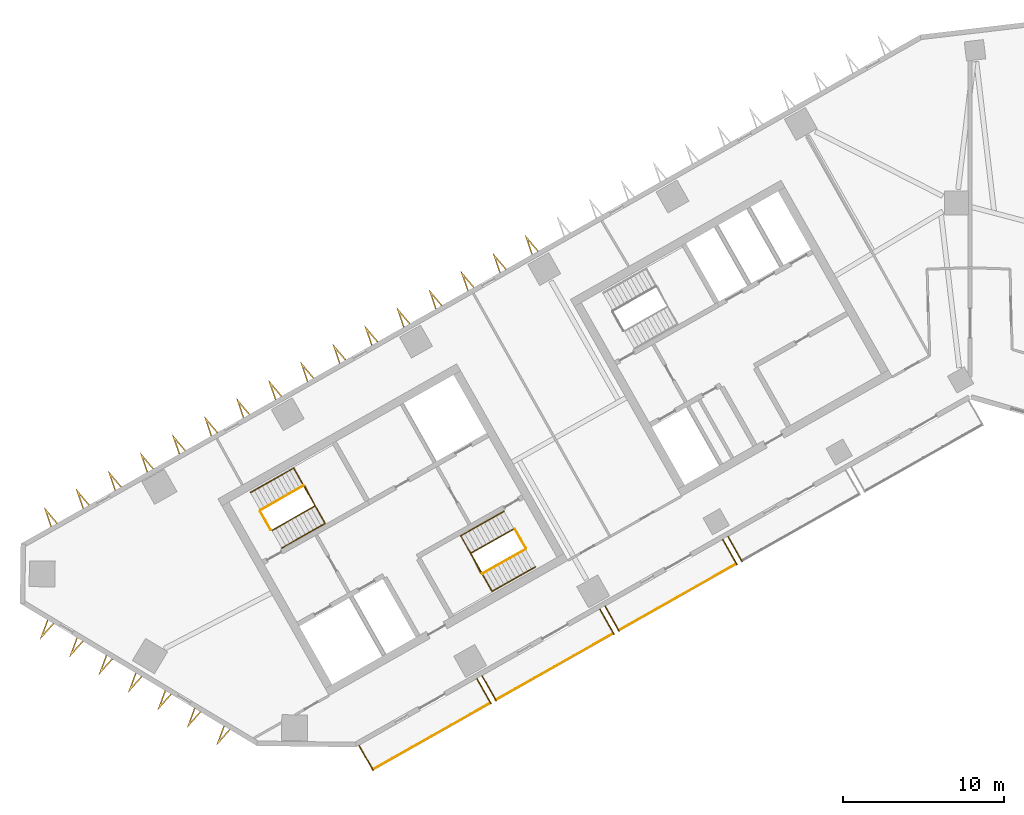
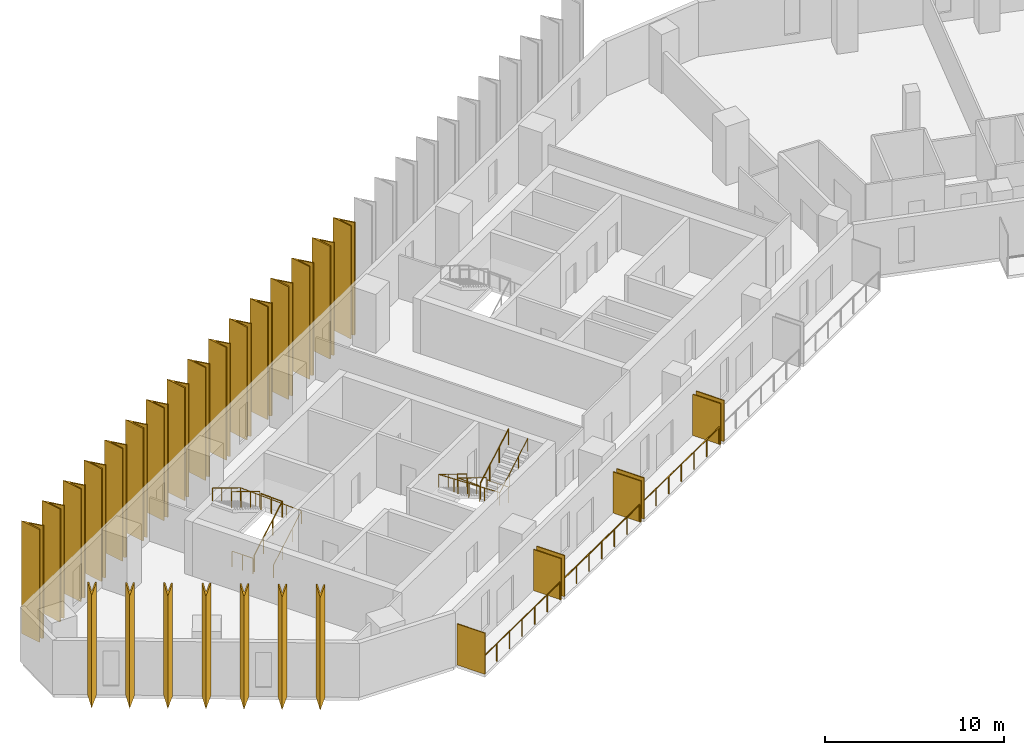
# One storey, part 8 of 12: 30 shading devices, 11 railings.
"""IFC4 building model written with IfcOpenShell, lengths in metres."""

from ifc_helpers import new_model, si_unit, direction, frame, origin, origin_2d, place, context, subcontext, project, spatial, polyline, rectangle, circle, outline, extrude, material, layer, layer_set, type_object, element, save


model = new_model("IFC4")

# Units and contexts
model_context = context("Model", 3, precision=1e-05, world=origin(), true_north=direction((0.0, 1.0)))
body_context = subcontext(model_context, "Body", "Model", "MODEL_VIEW")
ifc_project = project(units=[si_unit("LENGTHUNIT", "METRE"), si_unit("AREAUNIT", "SQUARE_METRE"), si_unit("VOLUMEUNIT", "CUBIC_METRE"), si_unit("PLANEANGLEUNIT", "RADIAN"), si_unit("MASSUNIT", "GRAM", prefix="KILO")], contexts=[model_context])

# Site, building, storey
site_placement = place(None, origin())
site = spatial("IfcSite", under=ifc_project, at=site_placement, CompositionType="ELEMENT")
building_placement = place(site_placement, origin())
building = spatial("IfcBuilding", under=site, at=building_placement, Name="Binnacle Exchange Tower", CompositionType="ELEMENT")
storey_placement = place(building_placement, frame((0.0, 0.0, 154.89990234375)))
storey = spatial("IfcBuildingStorey", under=building, at=storey_placement, Name="L32", CompositionType="ELEMENT", Elevation=154.89990234375)

# Railings
ifc_material_1 = material(Name="Bronze anodised aluminium frame", Category="aluminium")
railing_type_1 = type_object("IfcRailingType", Name="GUARD 1200", PredefinedType="GUARDRAIL", material=ifc_material_1)
railing_1_placement = place(storey_placement, frame((-36.994140625, 24.921142578125, 0.0)))
element("IfcRailing", 1, at=railing_1_placement, inside=storey, type_object=railing_type_1, Name="Balcony guard G01-B00 L32", PredefinedType="GUARDRAIL", context=body_context, shape_type="SweptSolid", body=[
    extrude(circle(Radius=0.02392578125, at=origin_2d()), frame((0.0, 0.0, 1.17578125), z_axis=(0.8703461643, 0.49244040684, 0.0), x_axis=(-0.49244040684, 0.8703461643, 0.0)), (0.0, 0.0, 1.0), 8.33447265625),
    extrude(circle(Radius=0.02099609375, at=origin_2d()), origin(), (0.0, 0.0, 1.0), 1.15185546875),
    extrude(circle(Radius=0.02099609375, at=origin_2d()), frame((1.208984375, 0.68408203125, 0.0)), (0.0, 0.0, 1.0), 1.15185546875),
    extrude(circle(Radius=0.02099609375, at=origin_2d()), frame((2.41796875, 1.3681640625, 0.0)), (0.0, 0.0, 1.0), 1.15185546875),
    extrude(circle(Radius=0.02099609375, at=origin_2d()), frame((3.626953125, 2.05224609375, 0.0)), (0.0, 0.0, 1.0), 1.15185546875),
    extrude(circle(Radius=0.02099609375, at=origin_2d()), frame((4.8359375, 2.736083984375, 0.0)), (0.0, 0.0, 1.0), 1.15185546875),
    extrude(circle(Radius=0.02099609375, at=origin_2d()), frame((6.044921875, 3.420166015625, 0.0)), (0.0, 0.0, 1.0), 1.15185546875),
    extrude(circle(Radius=0.02099609375, at=origin_2d()), frame((7.25390625, 4.104248046875, 0.0)), (0.0, 0.0, 1.0), 1.15185546875),
])
railing_2_placement = place(storey_placement, frame((-29.374755859375, 29.232177734375, 0.0)))
element("IfcRailing", 2, at=railing_2_placement, inside=storey, type_object=railing_type_1, Name="Balcony guard G01-B01 L32", PredefinedType="GUARDRAIL", context=body_context, shape_type="SweptSolid", body=[
    extrude(circle(Radius=0.02392578125, at=origin_2d()), frame((0.0, 0.0, 1.17578125), z_axis=(0.870365821494, 0.492405662818, 0.0), x_axis=(-0.492405662818, 0.870365821494, 0.0)), (0.0, 0.0, 1.0), 8.334716796875),
    extrude(circle(Radius=0.02099609375, at=origin_2d()), origin(), (0.0, 0.0, 1.0), 1.15185546875),
    extrude(circle(Radius=0.02099609375, at=origin_2d()), frame((1.208984375, 0.68408203125, 0.0)), (0.0, 0.0, 1.0), 1.15185546875),
    extrude(circle(Radius=0.02099609375, at=origin_2d()), frame((2.41796875, 1.367919921875, 0.0)), (0.0, 0.0, 1.0), 1.15185546875),
    extrude(circle(Radius=0.02099609375, at=origin_2d()), frame((3.626953125, 2.052001953125, 0.0)), (0.0, 0.0, 1.0), 1.15185546875),
    extrude(circle(Radius=0.02099609375, at=origin_2d()), frame((4.836181640625, 2.736083984375, 0.0)), (0.0, 0.0, 1.0), 1.15185546875),
    extrude(circle(Radius=0.02099609375, at=origin_2d()), frame((6.045166015625, 3.419921875, 0.0)), (0.0, 0.0, 1.0), 1.15185546875),
    extrude(circle(Radius=0.02099609375, at=origin_2d()), frame((7.254150390625, 4.10400390625, 0.0)), (0.0, 0.0, 1.0), 1.15185546875),
])
railing_3_placement = place(storey_placement, frame((-21.7548828125, 33.54296875, 0.0)))
element("IfcRailing", 3, at=railing_3_placement, inside=storey, type_object=railing_type_1, Name="Balcony guard G01-B02 L32", PredefinedType="GUARDRAIL", context=body_context, shape_type="SweptSolid", body=[
    extrude(circle(Radius=0.02392578125, at=origin_2d()), frame((0.0, 0.0, 1.17578125), z_axis=(0.870339060608, 0.492452961795, 0.0), x_axis=(-0.492452961795, 0.870339060608, 0.0)), (0.0, 0.0, 1.0), 8.334228515625),
    extrude(circle(Radius=0.02099609375, at=origin_2d()), origin(), (0.0, 0.0, 1.0), 1.15185546875),
    extrude(circle(Radius=0.02099609375, at=origin_2d()), frame((1.208984375, 0.68408203125, 0.0)), (0.0, 0.0, 1.0), 1.15185546875),
    extrude(circle(Radius=0.02099609375, at=origin_2d()), frame((2.41796875, 1.3681640625, 0.0)), (0.0, 0.0, 1.0), 1.15185546875),
    extrude(circle(Radius=0.02099609375, at=origin_2d()), frame((3.626953125, 2.05224609375, 0.0)), (0.0, 0.0, 1.0), 1.15185546875),
    extrude(circle(Radius=0.02099609375, at=origin_2d()), frame((4.835693359375, 2.736083984375, 0.0)), (0.0, 0.0, 1.0), 1.15185546875),
    extrude(circle(Radius=0.02099609375, at=origin_2d()), frame((6.044677734375, 3.420166015625, 0.0)), (0.0, 0.0, 1.0), 1.15185546875),
    extrude(circle(Radius=0.02099609375, at=origin_2d()), frame((7.253662109375, 4.104248046875, 0.0)), (0.0, 0.0, 1.0), 1.15185546875),
])

# Shading devices
ifc_material_2 = material(Name="Bronze aluminium louvre", Category="aluminium")
ifc_layer = layer(ifc_material_2, 0.06005859375)
ifc_layer_set = layer_set([ifc_layer], Name="PLANTED SCREEN 60x2800")
shading_device_type_1 = type_object("IfcShadingDeviceType", Name="PLANTED SCREEN 60x2800", PredefinedType="USERDEFINED", material=ifc_layer_set)
for number, where, z_axis, x_axis, name in (
    (4, (-37.424072265625, 25.6201171875, 0.0), (0.0, 0.0, 1.0), (0.87035569594, 0.492423560103, 0.0), "Planted screen G01-B00a L32"),
    (5, (-30.117919921875, 29.753662109375, 0.0), (0.0, 0.0, 1.0), (0.87035569594, 0.492423560103, 0.0), "Planted screen G01-B00b L32"),
    (6, (-29.8046875, 29.930908203125, 0.0), (0.0, 0.0, 1.0), (0.87035569594, 0.492423560103, 0.0), "Planted screen G01-B01a L32"),
    (7, (-22.498291015625, 34.064697265625, 0.0), (0.0, 0.0, 1.0), (0.87035569594, 0.492423560103, 0.0), "Planted screen G01-B01b L32"),
    (8, (-22.184814453125, 34.241943359375, 0.0), (0.0, 0.0, 1.0), (0.87035569594, 0.492423560103, 0.0), "Planted screen G01-B02a L32"),
    (9, (-14.878662109375, 38.37548828125, 0.0), (0.0, 0.0, 1.0), (0.87035569594, 0.492423560103, 0.0), "Planted screen G01-B02b L32"),
    (10, (-14.5654296875, 38.552978515625, 0.0), (0.0, 0.0, 1.0), (0.87035569594, 0.492423560103, 0.0), "Planted screen G01-B03a L32"),
):
    element("IfcShadingDevice", number, at=place(storey_placement, frame(where, z_axis=z_axis, x_axis=x_axis)), inside=storey, type_object=shading_device_type_1, Name=name, ObjectType="SCREEN", PredefinedType="USERDEFINED", context=body_context, shape_type="SweptSolid", body=[
        extrude(rectangle(XDim=0.06005859375, YDim=1.800048828125, at=origin_2d()), origin(), (0.0, 0.0, 1.0), 2.800048828125),
    ])

# Railings
ifc_material_3 = material(Name="Steel guard rail", Category="steel")
railing_type_2 = type_object("IfcRailingType", Name="STAIR GUARD 1100", PredefinedType="GUARDRAIL", material=ifc_material_3)
railing_4_placement = place(storey_placement, frame((-43.26171875, 39.71728515625, 0.166748046875)))
element("IfcRailing", 11, at=railing_4_placement, inside=storey, type_object=railing_type_2, Name="L32 STA1 stair guard 1", PredefinedType="GUARDRAIL", context=body_context, shape_type="SweptSolid", body=[
    extrude(circle(Radius=0.02392578125, at=origin_2d()), frame((0.0, 0.0, 1.076171875), z_axis=(0.747900833971, 0.423129324283, 0.511474258861), x_axis=(-0.492412445098, 0.870361984414, 0.0)), (0.0, 0.0, 1.0), 3.584228515625),
    extrude(circle(Radius=0.02392578125, at=origin_2d()), frame((2.6806640625, 1.5166015625, 2.9091796875), z_axis=(-0.461100321709, 0.887348011391, 0.0), x_axis=(-0.887348011391, -0.461100321709, 0.0)), (0.0, 0.0, 1.0), 1.40087890625),
    extrude(circle(Radius=0.02099609375, at=origin_2d()), origin(), (0.0, 0.0, 1.0), 1.052001953125),
    extrude(circle(Radius=0.02099609375, at=origin_2d()), frame((0.8935546875, 0.505615234375, 0.611083984375)), (0.0, 0.0, 1.0), 1.052001953125),
    extrude(circle(Radius=0.02099609375, at=origin_2d()), frame((1.787109375, 1.010986328125, 1.22216796875)), (0.0, 0.0, 1.0), 1.052001953125),
    extrude(circle(Radius=0.02099609375, at=origin_2d()), frame((2.6806640625, 1.5166015625, 1.833251953125)), (0.0, 0.0, 1.0), 1.052001953125),
    extrude(circle(Radius=0.02099609375, at=origin_2d()), frame((2.357666015625, 2.13818359375, 1.833251953125)), (0.0, 0.0, 1.0), 1.052001953125),
    extrude(circle(Radius=0.02099609375, at=origin_2d()), frame((2.03466796875, 2.759765625, 1.833251953125)), (0.0, 0.0, 1.0), 1.052001953125),
])
railing_5_placement = place(storey_placement, frame((-41.295166015625, 42.49609375, 2.166748046875)))
element("IfcRailing", 12, at=railing_5_placement, inside=storey, type_object=railing_type_2, Name="L32 STA1 stair guard 2", PredefinedType="GUARDRAIL", context=body_context, shape_type="SweptSolid", body=[
    extrude(circle(Radius=0.02392578125, at=origin_2d()), frame((0.0, 0.0, 1.076171875), z_axis=(-0.747879277632, -0.423185241524, 0.511459516916), x_axis=(0.492472489424, -0.870328011247, 0.0)), (0.0, 0.0, 1.0), 3.58447265625),
    extrude(circle(Radius=0.02099609375, at=origin_2d()), origin(), (0.0, 0.0, 1.0), 1.052001953125),
    extrude(circle(Radius=0.02099609375, at=origin_2d()), frame((-0.8935546875, -0.505615234375, 0.611083984375)), (0.0, 0.0, 1.0), 1.052001953125),
    extrude(circle(Radius=0.02099609375, at=origin_2d()), frame((-1.787109375, -1.01123046875, 1.22216796875)), (0.0, 0.0, 1.0), 1.052001953125),
    extrude(circle(Radius=0.02099609375, at=origin_2d()), frame((-2.6806640625, -1.516845703125, 1.833251953125)), (0.0, 0.0, 1.0), 1.052001953125),
])
railing_6_placement = place(storey_placement, frame((-43.329833984375, 39.736328125, 0.0)))
element("IfcRailing", 13, at=railing_6_placement, inside=storey, type_object=railing_type_2, Name="L32 STA1 stair guard 3", PredefinedType="GUARDRAIL", context=body_context, shape_type="SweptSolid", body=[
    extrude(circle(Radius=0.02392578125, at=origin_2d()), frame((0.0, 0.0, 1.076171875), z_axis=(-0.4924922531, 0.870316827734, 0.0), x_axis=(-0.870316827734, -0.4924922531, 0.0)), (0.0, 0.0, 1.0), 1.349853515625),
    extrude(circle(Radius=0.02099609375, at=origin_2d()), origin(), (0.0, 0.0, 1.0), 1.052001953125),
    extrude(circle(Radius=0.02099609375, at=origin_2d()), frame((-0.33251953125, 0.58740234375, 0.0)), (0.0, 0.0, 1.0), 1.052001953125),
    extrude(circle(Radius=0.02099609375, at=origin_2d()), frame((-0.664794921875, 1.1748046875, 0.0)), (0.0, 0.0, 1.0), 1.052001953125),
])
railing_7_placement = place(storey_placement, frame((-28.265380859375, 39.814453125, 0.166748046875)))
element("IfcRailing", 14, at=railing_7_placement, inside=storey, type_object=railing_type_2, Name="L32 STA2 stair guard 1", PredefinedType="GUARDRAIL", context=body_context, shape_type="SweptSolid", body=[
    extrude(circle(Radius=0.02392578125, at=origin_2d()), frame((0.0, 0.0, 1.076171875), z_axis=(-0.747900833971, -0.423129324283, 0.511474258861), x_axis=(0.492412445098, -0.870361984414, 0.0)), (0.0, 0.0, 1.0), 3.584228515625),
    extrude(circle(Radius=0.02392578125, at=origin_2d()), frame((-2.6806640625, -1.5166015625, 2.9091796875), z_axis=(0.460963092712, -0.887419307406, 0.0), x_axis=(0.887419307406, 0.460963092712, 0.0)), (0.0, 0.0, 1.0), 1.40087890625),
    extrude(circle(Radius=0.02099609375, at=origin_2d()), origin(), (0.0, 0.0, 1.0), 1.052001953125),
    extrude(circle(Radius=0.02099609375, at=origin_2d()), frame((-0.8935546875, -0.505615234375, 0.611083984375)), (0.0, 0.0, 1.0), 1.052001953125),
    extrude(circle(Radius=0.02099609375, at=origin_2d()), frame((-1.787109375, -1.010986328125, 1.22216796875)), (0.0, 0.0, 1.0), 1.052001953125),
    extrude(circle(Radius=0.02099609375, at=origin_2d()), frame((-2.6806640625, -1.5166015625, 1.833251953125)), (0.0, 0.0, 1.0), 1.052001953125),
    extrude(circle(Radius=0.02099609375, at=origin_2d()), frame((-2.35791015625, -2.13818359375, 1.833251953125)), (0.0, 0.0, 1.0), 1.052001953125),
    extrude(circle(Radius=0.02099609375, at=origin_2d()), frame((-2.034912109375, -2.759765625, 1.833251953125)), (0.0, 0.0, 1.0), 1.052001953125),
])
railing_8_placement = place(storey_placement, frame((-30.232177734375, 37.035888671875, 2.166748046875)))
element("IfcRailing", 15, at=railing_8_placement, inside=storey, type_object=railing_type_2, Name="L32 STA2 stair guard 2", PredefinedType="GUARDRAIL", context=body_context, shape_type="SweptSolid", body=[
    extrude(circle(Radius=0.02392578125, at=origin_2d()), frame((0.0, 0.0, 1.076171875), z_axis=(0.747900833971, 0.423129324283, 0.511474258861), x_axis=(-0.492412445098, 0.870361984414, 0.0)), (0.0, 0.0, 1.0), 3.584228515625),
    extrude(circle(Radius=0.02099609375, at=origin_2d()), origin(), (0.0, 0.0, 1.0), 1.052001953125),
    extrude(circle(Radius=0.02099609375, at=origin_2d()), frame((0.8935546875, 0.505615234375, 0.611083984375)), (0.0, 0.0, 1.0), 1.052001953125),
    extrude(circle(Radius=0.02099609375, at=origin_2d()), frame((1.787109375, 1.010986328125, 1.22216796875)), (0.0, 0.0, 1.0), 1.052001953125),
    extrude(circle(Radius=0.02099609375, at=origin_2d()), frame((2.6806640625, 1.5166015625, 1.833251953125)), (0.0, 0.0, 1.0), 1.052001953125),
])
railing_9_placement = place(storey_placement, frame((-28.197265625, 39.795654296875, 0.0)))
element("IfcRailing", 16, at=railing_9_placement, inside=storey, type_object=railing_type_2, Name="L32 STA2 stair guard 3", PredefinedType="GUARDRAIL", context=body_context, shape_type="SweptSolid", body=[
    extrude(circle(Radius=0.02392578125, at=origin_2d()), frame((0.0, 0.0, 1.076171875), z_axis=(0.49241474071, -0.870360685654, 0.0), x_axis=(0.870360685654, 0.49241474071, 0.0)), (0.0, 0.0, 1.0), 1.35009765625),
    extrude(circle(Radius=0.02099609375, at=origin_2d()), origin(), (0.0, 0.0, 1.0), 1.052001953125),
    extrude(circle(Radius=0.02099609375, at=origin_2d()), frame((0.33251953125, -0.58740234375, 0.0)), (0.0, 0.0, 1.0), 1.052001953125),
    extrude(circle(Radius=0.02099609375, at=origin_2d()), frame((0.664794921875, -1.175048828125, 0.0)), (0.0, 0.0, 1.0), 1.052001953125),
])
ifc_material_4 = material(Name="Steel handrail", Category="steel")
railing_type_3 = type_object("IfcRailingType", Name="STAIR HANDRAIL 900", PredefinedType="HANDRAIL", material=ifc_material_4)
railing_10_placement = place(storey_placement, frame((-42.646240234375, 38.62939453125, 0.166748046875)))
element("IfcRailing", 17, at=railing_10_placement, inside=storey, type_object=railing_type_3, Name="L32 STA1 stair handrail 1", PredefinedType="HANDRAIL", context=body_context, shape_type="SweptSolid", body=[
    extrude(circle(Radius=0.02392578125, at=origin_2d()), frame((0.0, 0.0, 0.8759765625), z_axis=(0.747900833971, 0.423129324283, 0.511474258861), x_axis=(-0.492412445098, 0.870361984414, 0.0)), (0.0, 0.0, 1.0), 3.584228515625),
    extrude(circle(Radius=0.02392578125, at=origin_2d()), frame((2.6806640625, 1.5166015625, 2.708984375), z_axis=(-0.491975462752, 0.869586854082, 0.042176382711), x_axis=(-0.870361318571, -0.492413622004, 0.0)), (0.0, 0.0, 1.0), 3.95361328125),
    extrude(circle(Radius=0.02392578125, at=origin_2d()), frame((0.735595703125, 4.95458984375, 2.8759765625), z_axis=(-0.747900833971, -0.423129324283, 0.511474258861), x_axis=(0.492412445098, -0.870361984414, 0.0)), (0.0, 0.0, 1.0), 3.584228515625),
    extrude(circle(Radius=0.02099609375, at=origin_2d()), origin(), (0.0, 0.0, 1.0), 0.851806640625),
    extrude(circle(Radius=0.02099609375, at=origin_2d()), frame((0.8935546875, 0.505615234375, 0.611083984375)), (0.0, 0.0, 1.0), 0.851806640625),
    extrude(circle(Radius=0.02099609375, at=origin_2d()), frame((1.787109375, 1.010986328125, 1.22216796875)), (0.0, 0.0, 1.0), 0.851806640625),
    extrude(circle(Radius=0.02099609375, at=origin_2d()), frame((2.6806640625, 1.5166015625, 1.833251953125)), (0.0, 0.0, 1.0), 0.851806640625),
    extrude(circle(Radius=0.02099609375, at=origin_2d()), frame((2.1943359375, 2.3759765625, 1.875)), (0.0, 0.0, 1.0), 0.851806640625),
    extrude(circle(Radius=0.02099609375, at=origin_2d()), frame((1.7080078125, 3.235595703125, 1.91650390625)), (0.0, 0.0, 1.0), 0.851806640625),
    extrude(circle(Radius=0.02099609375, at=origin_2d()), frame((1.221923828125, 4.09521484375, 1.958251953125)), (0.0, 0.0, 1.0), 0.851806640625),
    extrude(circle(Radius=0.02099609375, at=origin_2d()), frame((0.735595703125, 4.95458984375, 2.0)), (0.0, 0.0, 1.0), 0.851806640625),
    extrude(circle(Radius=0.02099609375, at=origin_2d()), frame((-0.157958984375, 4.448974609375, 2.611083984375)), (0.0, 0.0, 1.0), 0.851806640625),
    extrude(circle(Radius=0.02099609375, at=origin_2d()), frame((-1.051513671875, 3.943603515625, 3.22216796875)), (0.0, 0.0, 1.0), 0.851806640625),
    extrude(circle(Radius=0.02099609375, at=origin_2d()), frame((-1.945068359375, 3.43798828125, 3.833251953125)), (0.0, 0.0, 1.0), 0.851806640625),
])
railing_11_placement = place(storey_placement, frame((-28.880859375, 40.90234375, 0.166748046875)))
element("IfcRailing", 18, at=railing_11_placement, inside=storey, type_object=railing_type_3, Name="L32 STA2 stair handrail 1", PredefinedType="HANDRAIL", context=body_context, shape_type="SweptSolid", body=[
    extrude(circle(Radius=0.02392578125, at=origin_2d()), frame((0.0, 0.0, 0.8759765625), z_axis=(-0.747930846092, -0.423107769413, 0.511448203561), x_axis=(0.492378474645, -0.870381202524, 0.0)), (0.0, 0.0, 1.0), 3.58447265625),
    extrude(circle(Radius=0.02392578125, at=origin_2d()), frame((-2.680908203125, -1.5166015625, 2.708984375), z_axis=(0.491975462752, -0.869586854082, 0.042176382711), x_axis=(0.870361318571, 0.492413622004, 0.0)), (0.0, 0.0, 1.0), 3.95361328125),
    extrude(circle(Radius=0.02392578125, at=origin_2d()), frame((-0.73583984375, -4.95458984375, 2.8759765625), z_axis=(0.747909291085, 0.423163685048, 0.51143346387), x_axis=(-0.49243851748, 0.870347233294, 0.0)), (0.0, 0.0, 1.0), 3.58447265625),
    extrude(circle(Radius=0.02099609375, at=origin_2d()), origin(), (0.0, 0.0, 1.0), 0.851806640625),
    extrude(circle(Radius=0.02099609375, at=origin_2d()), frame((-0.8935546875, -0.505615234375, 0.611083984375)), (0.0, 0.0, 1.0), 0.851806640625),
    extrude(circle(Radius=0.02099609375, at=origin_2d()), frame((-1.787353515625, -1.010986328125, 1.22216796875)), (0.0, 0.0, 1.0), 0.851806640625),
    extrude(circle(Radius=0.02099609375, at=origin_2d()), frame((-2.680908203125, -1.5166015625, 1.833251953125)), (0.0, 0.0, 1.0), 0.851806640625),
    extrude(circle(Radius=0.02099609375, at=origin_2d()), frame((-2.194580078125, -2.3759765625, 1.875)), (0.0, 0.0, 1.0), 0.851806640625),
    extrude(circle(Radius=0.02099609375, at=origin_2d()), frame((-1.70849609375, -3.235595703125, 1.91650390625)), (0.0, 0.0, 1.0), 0.851806640625),
    extrude(circle(Radius=0.02099609375, at=origin_2d()), frame((-1.22216796875, -4.09521484375, 1.958251953125)), (0.0, 0.0, 1.0), 0.851806640625),
    extrude(circle(Radius=0.02099609375, at=origin_2d()), frame((-0.73583984375, -4.95458984375, 2.0)), (0.0, 0.0, 1.0), 0.851806640625),
    extrude(circle(Radius=0.02099609375, at=origin_2d()), frame((0.15771484375, -4.448974609375, 2.611083984375)), (0.0, 0.0, 1.0), 0.851806640625),
    extrude(circle(Radius=0.02099609375, at=origin_2d()), frame((1.051513671875, -3.943359375, 3.22216796875)), (0.0, 0.0, 1.0), 0.851806640625),
    extrude(circle(Radius=0.02099609375, at=origin_2d()), frame((1.945068359375, -3.437744140625, 3.833251953125)), (0.0, 0.0, 1.0), 0.851806640625),
])

# Shading devices
ifc_material_5 = material(Name="Bronze aluminium cladding", Category="aluminium")
shading_device_type_2 = type_object("IfcShadingDeviceType", Name="V FIN 1300 DEEP x 7680 HIGH", PredefinedType="USERDEFINED", material=ifc_material_5)
shading_device_1_placement = place(storey_placement, origin())
element("IfcShadingDevice", 19, at=shading_device_1_placement, inside=storey, type_object=shading_device_type_2, Name="V fin FN-G08-12 L32", ObjectType="FIN", PredefinedType="USERDEFINED", context=body_context, shape_type="SweptSolid", body=[
    extrude(outline(polyline([(-26.7412109375, 57.04296875), (-27.59912109375, 58.05126953125), (-27.176513671875, 56.796630859375), (-27.10546875, 56.8369140625), (-27.390380859375, 57.6826171875), (-26.81201171875, 57.002685546875), (-26.7412109375, 57.04296875)])), origin(), (0.0, 0.0, 1.0), 7.68017578125),
])
shading_device_2_placement = place(storey_placement, origin())
element("IfcShadingDevice", 20, at=shading_device_2_placement, inside=storey, type_object=shading_device_type_2, Name="V fin FN-G08-13 L32", ObjectType="FIN", PredefinedType="USERDEFINED", context=body_context, shape_type="SweptSolid", body=[
    extrude(outline(polyline([(-28.727783203125, 55.9189453125), (-29.58544921875, 56.92724609375), (-29.162841796875, 55.672607421875), (-29.092041015625, 55.712890625), (-29.376708984375, 56.55859375), (-28.798583984375, 55.87890625), (-28.727783203125, 55.9189453125)])), origin(), (0.0, 0.0, 1.0), 7.68017578125),
])
shading_device_3_placement = place(storey_placement, origin())
element("IfcShadingDevice", 21, at=shading_device_3_placement, inside=storey, type_object=shading_device_type_2, Name="V fin FN-G08-14 L32", ObjectType="FIN", PredefinedType="USERDEFINED", context=body_context, shape_type="SweptSolid", body=[
    extrude(outline(polyline([(-30.71435546875, 54.794921875), (-31.572021484375, 55.803466796875), (-31.1494140625, 54.548828125), (-31.07861328125, 54.5888671875), (-31.36328125, 55.434814453125), (-30.78515625, 54.7548828125), (-30.71435546875, 54.794921875)])), origin(), (0.0, 0.0, 1.0), 7.68017578125),
])
shading_device_4_placement = place(storey_placement, origin())
element("IfcShadingDevice", 22, at=shading_device_4_placement, inside=storey, type_object=shading_device_type_2, Name="V fin FN-G08-15 L32", ObjectType="FIN", PredefinedType="USERDEFINED", context=body_context, shape_type="SweptSolid", body=[
    extrude(outline(polyline([(-32.70068359375, 53.6708984375), (-33.55859375, 54.679443359375), (-33.135986328125, 53.4248046875), (-33.065185546875, 53.46484375), (-33.349853515625, 54.310791015625), (-32.771728515625, 53.630859375), (-32.70068359375, 53.6708984375)])), origin(), (0.0, 0.0, 1.0), 7.68017578125),
])
shading_device_5_placement = place(storey_placement, origin())
element("IfcShadingDevice", 23, at=shading_device_5_placement, inside=storey, type_object=shading_device_type_2, Name="V fin FN-G08-16 L32", ObjectType="FIN", PredefinedType="USERDEFINED", context=body_context, shape_type="SweptSolid", body=[
    extrude(outline(polyline([(-34.687255859375, 52.547119140625), (-35.545166015625, 53.555419921875), (-35.12255859375, 52.30078125), (-35.051513671875, 52.341064453125), (-35.33642578125, 53.186767578125), (-34.75830078125, 52.507080078125), (-34.687255859375, 52.547119140625)])), origin(), (0.0, 0.0, 1.0), 7.68017578125),
])
shading_device_6_placement = place(storey_placement, origin())
element("IfcShadingDevice", 24, at=shading_device_6_placement, inside=storey, type_object=shading_device_type_2, Name="V fin FN-G08-17 L32", ObjectType="FIN", PredefinedType="USERDEFINED", context=body_context, shape_type="SweptSolid", body=[
    extrude(outline(polyline([(-36.673828125, 51.423095703125), (-37.53173828125, 52.431640625), (-37.109130859375, 51.177001953125), (-37.0380859375, 51.217041015625), (-37.322998046875, 52.06298828125), (-36.744873046875, 51.383056640625), (-36.673828125, 51.423095703125)])), origin(), (0.0, 0.0, 1.0), 7.68017578125),
])
shading_device_7_placement = place(storey_placement, origin())
element("IfcShadingDevice", 25, at=shading_device_7_placement, inside=storey, type_object=shading_device_type_2, Name="V fin FN-G08-18 L32", ObjectType="FIN", PredefinedType="USERDEFINED", context=body_context, shape_type="SweptSolid", body=[
    extrude(outline(polyline([(-38.660400390625, 50.29931640625), (-39.518310546875, 51.3076171875), (-39.095703125, 50.052978515625), (-39.02490234375, 50.093017578125), (-39.3095703125, 50.93896484375), (-38.7314453125, 50.259033203125), (-38.660400390625, 50.29931640625)])), origin(), (0.0, 0.0, 1.0), 7.68017578125),
])
shading_device_8_placement = place(storey_placement, origin())
element("IfcShadingDevice", 26, at=shading_device_8_placement, inside=storey, type_object=shading_device_type_2, Name="V fin FN-G08-19 L32", ObjectType="FIN", PredefinedType="USERDEFINED", context=body_context, shape_type="SweptSolid", body=[
    extrude(outline(polyline([(-40.64697265625, 49.17529296875), (-41.5048828125, 50.18359375), (-41.082275390625, 48.92919921875), (-41.01123046875, 48.96923828125), (-41.296142578125, 49.81494140625), (-40.718017578125, 49.13525390625), (-40.64697265625, 49.17529296875)])), origin(), (0.0, 0.0, 1.0), 7.68017578125),
])
shading_device_9_placement = place(storey_placement, origin())
element("IfcShadingDevice", 27, at=shading_device_9_placement, inside=storey, type_object=shading_device_type_2, Name="V fin FN-G08-20 L32", ObjectType="FIN", PredefinedType="USERDEFINED", context=body_context, shape_type="SweptSolid", body=[
    extrude(outline(polyline([(-42.633544921875, 48.05126953125), (-43.491455078125, 49.059814453125), (-43.06884765625, 47.80517578125), (-42.997802734375, 47.84521484375), (-43.28271484375, 48.69091796875), (-42.70458984375, 48.01123046875), (-42.633544921875, 48.05126953125)])), origin(), (0.0, 0.0, 1.0), 7.68017578125),
])
shading_device_10_placement = place(storey_placement, origin())
element("IfcShadingDevice", 28, at=shading_device_10_placement, inside=storey, type_object=shading_device_type_2, Name="V fin FN-G08-21 L32", ObjectType="FIN", PredefinedType="USERDEFINED", context=body_context, shape_type="SweptSolid", body=[
    extrude(outline(polyline([(-44.6201171875, 46.927490234375), (-45.47802734375, 47.935791015625), (-45.055419921875, 46.68115234375), (-44.984619140625, 46.72119140625), (-45.269287109375, 47.567138671875), (-44.691162109375, 46.88720703125), (-44.6201171875, 46.927490234375)])), origin(), (0.0, 0.0, 1.0), 7.68017578125),
])
shading_device_11_placement = place(storey_placement, origin())
element("IfcShadingDevice", 29, at=shading_device_11_placement, inside=storey, type_object=shading_device_type_2, Name="V fin FN-G08-22 L32", ObjectType="FIN", PredefinedType="USERDEFINED", context=body_context, shape_type="SweptSolid", body=[
    extrude(outline(polyline([(-46.606689453125, 45.803466796875), (-47.464599609375, 46.81201171875), (-47.0419921875, 45.557373046875), (-46.970947265625, 45.597412109375), (-47.255859375, 46.443115234375), (-46.677490234375, 45.763427734375), (-46.606689453125, 45.803466796875)])), origin(), (0.0, 0.0, 1.0), 7.68017578125),
])
shading_device_12_placement = place(storey_placement, origin())
element("IfcShadingDevice", 30, at=shading_device_12_placement, inside=storey, type_object=shading_device_type_2, Name="V fin FN-G08-23 L32", ObjectType="FIN", PredefinedType="USERDEFINED", context=body_context, shape_type="SweptSolid", body=[
    extrude(outline(polyline([(-48.59326171875, 44.679443359375), (-49.451171875, 45.68798828125), (-49.028564453125, 44.433349609375), (-48.95751953125, 44.473388671875), (-49.242431640625, 45.319091796875), (-48.664306640625, 44.639404296875), (-48.59326171875, 44.679443359375)])), origin(), (0.0, 0.0, 1.0), 7.68017578125),
])
shading_device_13_placement = place(storey_placement, origin())
element("IfcShadingDevice", 31, at=shading_device_13_placement, inside=storey, type_object=shading_device_type_2, Name="V fin FN-G08-24 L32", ObjectType="FIN", PredefinedType="USERDEFINED", context=body_context, shape_type="SweptSolid", body=[
    extrude(outline(polyline([(-50.579833984375, 43.5556640625), (-51.4375, 44.56396484375), (-51.014892578125, 43.309326171875), (-50.944091796875, 43.349609375), (-51.22900390625, 44.1953125), (-50.650634765625, 43.515380859375), (-50.579833984375, 43.5556640625)])), origin(), (0.0, 0.0, 1.0), 7.68017578125),
])
shading_device_14_placement = place(storey_placement, origin())
element("IfcShadingDevice", 32, at=shading_device_14_placement, inside=storey, type_object=shading_device_type_2, Name="V fin FN-G08-25 L32", ObjectType="FIN", PredefinedType="USERDEFINED", context=body_context, shape_type="SweptSolid", body=[
    extrude(outline(polyline([(-52.56640625, 42.431640625), (-53.42431640625, 43.440185546875), (-53.001708984375, 42.185546875), (-52.9306640625, 42.2255859375), (-53.215576171875, 43.0712890625), (-52.63720703125, 42.3916015625), (-52.56640625, 42.431640625)])), origin(), (0.0, 0.0, 1.0), 7.68017578125),
])
shading_device_15_placement = place(storey_placement, origin())
element("IfcShadingDevice", 33, at=shading_device_15_placement, inside=storey, type_object=shading_device_type_2, Name="V fin FN-G08-26 L32", ObjectType="FIN", PredefinedType="USERDEFINED", context=body_context, shape_type="SweptSolid", body=[
    extrude(outline(polyline([(-54.552978515625, 41.3076171875), (-55.410888671875, 42.316162109375), (-54.98828125, 41.0615234375), (-54.917236328125, 41.1015625), (-55.2021484375, 41.947509765625), (-54.623779296875, 41.267578125), (-54.552978515625, 41.3076171875)])), origin(), (0.0, 0.0, 1.0), 7.68017578125),
])
shading_device_16_placement = place(storey_placement, origin())
element("IfcShadingDevice", 34, at=shading_device_16_placement, inside=storey, type_object=shading_device_type_2, Name="V fin FN-G08-27 L32", ObjectType="FIN", PredefinedType="USERDEFINED", context=body_context, shape_type="SweptSolid", body=[
    extrude(outline(polyline([(-56.53955078125, 40.183837890625), (-57.397216796875, 41.192138671875), (-56.974609375, 39.9375), (-56.90380859375, 39.977783203125), (-57.188720703125, 40.823486328125), (-56.6103515625, 40.143798828125), (-56.53955078125, 40.183837890625)])), origin(), (0.0, 0.0, 1.0), 7.68017578125),
])
shading_device_17_placement = place(storey_placement, origin())
element("IfcShadingDevice", 35, at=shading_device_17_placement, inside=storey, type_object=shading_device_type_2, Name="V fin FN-G10-01 L32", ObjectType="FIN", PredefinedType="USERDEFINED", context=body_context, shape_type="SweptSolid", body=[
    extrude(outline(polyline([(-57.18603515625, 34.185791015625), (-57.641357421875, 32.94287109375), (-56.757568359375, 33.92822265625), (-56.827392578125, 33.97021484375), (-57.423095703125, 33.305908203125), (-57.1162109375, 34.143798828125), (-57.18603515625, 34.185791015625)])), origin(), (0.0, 0.0, 1.0), 7.68017578125),
])
shading_device_18_placement = place(storey_placement, origin())
element("IfcShadingDevice", 36, at=shading_device_18_placement, inside=storey, type_object=shading_device_type_2, Name="V fin FN-G10-02 L32", ObjectType="FIN", PredefinedType="USERDEFINED", context=body_context, shape_type="SweptSolid", body=[
    extrude(outline(polyline([(-55.364501953125, 33.09130859375), (-55.81982421875, 31.848388671875), (-54.93603515625, 32.833740234375), (-55.005859375, 32.875732421875), (-55.601806640625, 32.21142578125), (-55.294921875, 33.04931640625), (-55.364501953125, 33.09130859375)])), origin(), (0.0, 0.0, 1.0), 7.68017578125),
])
shading_device_19_placement = place(storey_placement, origin())
element("IfcShadingDevice", 37, at=shading_device_19_placement, inside=storey, type_object=shading_device_type_2, Name="V fin FN-G10-03 L32", ObjectType="FIN", PredefinedType="USERDEFINED", context=body_context, shape_type="SweptSolid", body=[
    extrude(outline(polyline([(-53.543212890625, 31.9970703125), (-53.998291015625, 30.75390625), (-53.114501953125, 31.739501953125), (-53.184326171875, 31.781494140625), (-53.7802734375, 31.116943359375), (-53.473388671875, 31.955078125), (-53.543212890625, 31.9970703125)])), origin(), (0.0, 0.0, 1.0), 7.68017578125),
])
shading_device_20_placement = place(storey_placement, origin())
element("IfcShadingDevice", 38, at=shading_device_20_placement, inside=storey, type_object=shading_device_type_2, Name="V fin FN-G10-04 L32", ObjectType="FIN", PredefinedType="USERDEFINED", context=body_context, shape_type="SweptSolid", body=[
    extrude(outline(polyline([(-51.7216796875, 30.902587890625), (-52.1767578125, 29.659423828125), (-51.29296875, 30.64501953125), (-51.36279296875, 30.68701171875), (-51.958740234375, 30.0224609375), (-51.65185546875, 30.860595703125), (-51.7216796875, 30.902587890625)])), origin(), (0.0, 0.0, 1.0), 7.68017578125),
])
shading_device_21_placement = place(storey_placement, origin())
element("IfcShadingDevice", 39, at=shading_device_21_placement, inside=storey, type_object=shading_device_type_2, Name="V fin FN-G10-05 L32", ObjectType="FIN", PredefinedType="USERDEFINED", context=body_context, shape_type="SweptSolid", body=[
    extrude(outline(polyline([(-49.900146484375, 29.80810546875), (-50.35546875, 28.56494140625), (-49.4716796875, 29.55029296875), (-49.54150390625, 29.59228515625), (-50.13720703125, 28.927978515625), (-49.830322265625, 29.76611328125), (-49.900146484375, 29.80810546875)])), origin(), (0.0, 0.0, 1.0), 7.68017578125),
])
shading_device_22_placement = place(storey_placement, origin())
element("IfcShadingDevice", 40, at=shading_device_22_placement, inside=storey, type_object=shading_device_type_2, Name="V fin FN-G10-06 L32", ObjectType="FIN", PredefinedType="USERDEFINED", context=body_context, shape_type="SweptSolid", body=[
    extrude(outline(polyline([(-48.07861328125, 28.713623046875), (-48.533935546875, 27.470458984375), (-47.650146484375, 28.4560546875), (-47.719970703125, 28.498046875), (-48.31591796875, 27.83349609375), (-48.0087890625, 28.671630859375), (-48.07861328125, 28.713623046875)])), origin(), (0.0, 0.0, 1.0), 7.68017578125),
])
shading_device_23_placement = place(storey_placement, origin())
element("IfcShadingDevice", 41, at=shading_device_23_placement, inside=storey, type_object=shading_device_type_2, Name="V fin FN-G10-07 L32", ObjectType="FIN", PredefinedType="USERDEFINED", context=body_context, shape_type="SweptSolid", body=[
    extrude(outline(polyline([(-46.257080078125, 27.619140625), (-46.71240234375, 26.3759765625), (-45.82861328125, 27.361572265625), (-45.8984375, 27.403564453125), (-46.494384765625, 26.739013671875), (-46.1875, 27.5771484375), (-46.257080078125, 27.619140625)])), origin(), (0.0, 0.0, 1.0), 7.68017578125),
])

save(model, "model.ifc")
